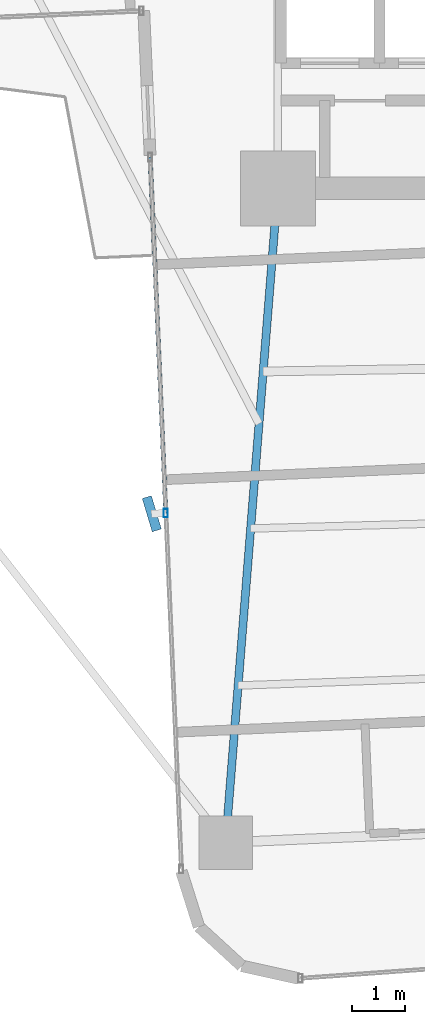
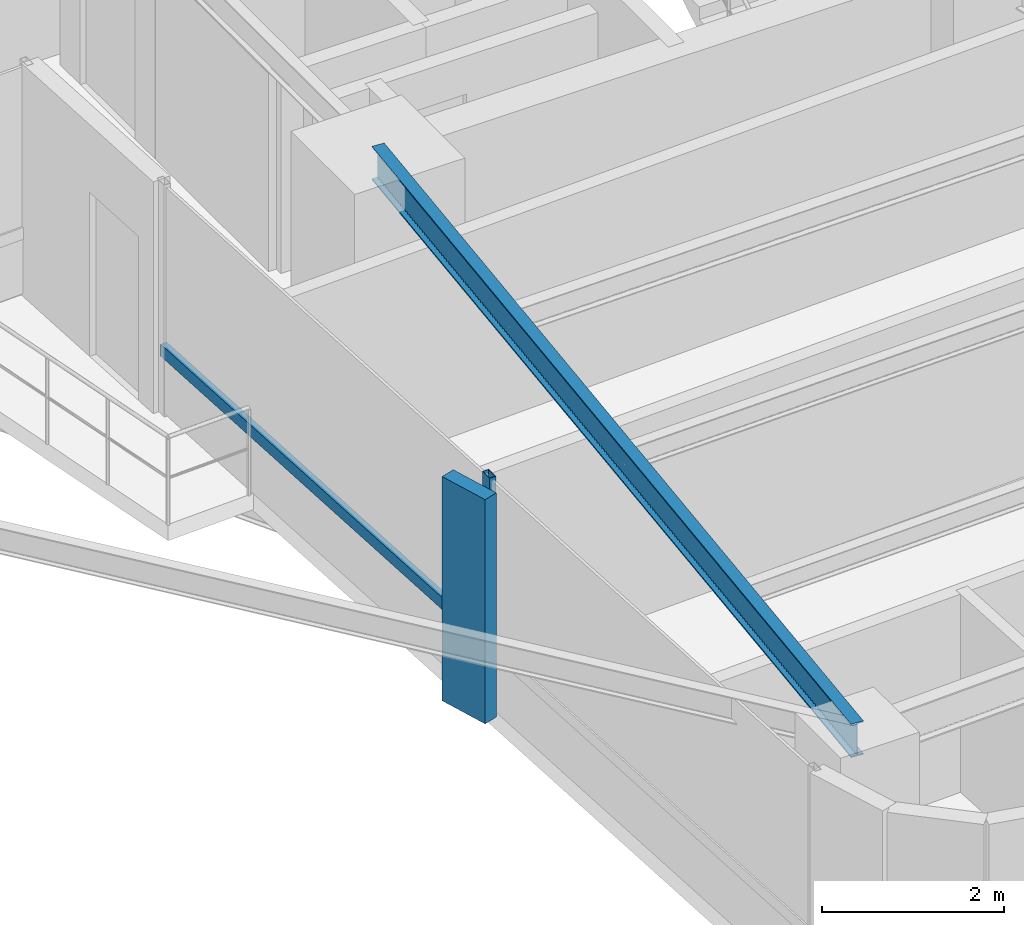
# One storey, part 4 of 26: 3 members, 1 beam, 1 element without a shape of its own.
"""IFC4 building model written with IfcOpenShell, lengths in metres."""

from ifc_helpers import new_model, si_unit, direction, frame, origin, origin_2d, place, context, subcontext, project, spatial, rectangle, hollow_rectangle, i_section, extrude, source, transform, mapped, material, material_profile, profile_set, type_object, element, aggregate, save


model = new_model("IFC4")

# Units and contexts
model_context = context("Model", 3, precision=1e-05, world=origin(), true_north=direction((0.0, 1.0)))
body_context = subcontext(model_context, "Body", "Model", "MODEL_VIEW")
ifc_project = project(units=[si_unit("LENGTHUNIT", "METRE"), si_unit("AREAUNIT", "SQUARE_METRE"), si_unit("VOLUMEUNIT", "CUBIC_METRE"), si_unit("PLANEANGLEUNIT", "RADIAN"), si_unit("MASSUNIT", "GRAM", prefix="KILO")], contexts=[model_context])

# Site, building, storey
site_placement = place(None, origin())
site = spatial("IfcSite", under=ifc_project, at=site_placement, CompositionType="ELEMENT")
building_placement = place(site_placement, origin())
building = spatial("IfcBuilding", under=site, at=building_placement, Name="Sahyath Konkavel Grand Hotel", CompositionType="ELEMENT")
storey_placement = place(building_placement, frame((0.0, 0.0, 114.800048828125)))
storey = spatial("IfcBuildingStorey", under=building, at=storey_placement, Name="L31", CompositionType="ELEMENT", Elevation=114.800048828125)

# Beam
ifc_material_1 = material(Name="Steel E350", Category="steel")
ifc_material_profile_1 = material_profile(ifc_material_1, i_section(OverallWidth=0.14990234375, OverallDepth=0.449951171875, WebThickness=0.009521484375, FlangeThickness=0.017333984375, FilletRadius=0.014892578125, at=origin_2d()), Name="ISMB 450")
ifc_profile_set_1 = profile_set([ifc_material_profile_1], Name="Steel E350")
beam_type = type_object("IfcBeamType", Name="BM-ISMB450", PredefinedType="BEAM", material=ifc_profile_set_1)
shared_shape_1 = source(origin(), body_context, "Body", "SweptSolid", [
    extrude(i_section(OverallWidth=0.14990234375, OverallDepth=0.449951171875, WebThickness=0.009521484375, FlangeThickness=0.017333984375, FilletRadius=0.014892578125, at=origin_2d()), origin(), (0.0, 0.0, 1.0), 12.2685546875),
])
beam_placement = place(storey_placement, frame((-3.800048828125, -10.199951171875, 2.885009765625), z_axis=(-0.079558563357, -0.996830193662, 0.0), x_axis=(0.996830193662, -0.079558563357, 0.0)))
element("IfcBeam", 1, at=beam_placement, inside=storey, type_object=beam_type, Name="L31 Cruciform Radial Girder SA", PredefinedType="BEAM", context=body_context, shape_type="MappedRepresentation", body=[
    mapped(shared_shape_1, transform((0.0, 0.0, 0.0), scale=1.0)),
])

# Curtain wall, members
ifc_material_2 = material(Name="Anodised Bronze Aluminium & Low-E Glazing", Category="aluminium")
curtain_wall_type = type_object("IfcCurtainWallType", Name="CW-ZONE2", PredefinedType="NOTDEFINED", material=ifc_material_2)
curtain_wall_placement = place(storey_placement, origin())
curtain_wall = element("IfcCurtainWall", 2, at=curtain_wall_placement, inside=storey, type_object=curtain_wall_type, Name="L31 Unitised Curtain Wall F24", PredefinedType="NOTDEFINED")
ifc_material_3 = material(Name="Anodised Bronze Aluminium", Category="aluminium")
ifc_material_profile_2 = material_profile(ifc_material_3, hollow_rectangle(XDim=0.080078125, YDim=0.159912109375, WallThickness=0.006103515625, at=origin_2d()), Name="RHS 160x80x6")
ifc_profile_set_2 = profile_set([ifc_material_profile_2], Name="Anodised Bronze Aluminium")
member_type_1 = type_object("IfcMemberType", Name="CW-MUL-160", PredefinedType="MULLION", material=ifc_profile_set_2)
shared_shape_2 = source(origin(), body_context, "Body", "SweptSolid", [
    extrude(hollow_rectangle(XDim=0.080078125, YDim=0.159912109375, WallThickness=0.006103515625, at=origin_2d()), origin(), (0.0, 0.0, 1.0), 3.10986328125),
])
member_1_placement = place(storey_placement, frame((-5.895751953125, -16.272705078125, 0.0), z_axis=(0.0, 0.0, 1.0), x_axis=(1.0, 0.0, 0.0)))
member_1 = element("IfcMember", 3, at=member_1_placement, type_object=member_type_1, Name="L31 Curtain Wall Mullion F24-1", PredefinedType="MULLION", context=body_context, shape_type="MappedRepresentation", body=[
    mapped(shared_shape_2, transform((0.0, 0.0, 0.0), scale=1.0)),
])
ifc_material_4 = material(Name="Warm Buff Sandstone Cladding on Concrete C50/60", Category="masonry")
ifc_material_profile_3 = material_profile(ifc_material_4, rectangle(XDim=0.179931640625, YDim=0.64990234375, at=origin_2d()), Name="FIN 180x650")
ifc_profile_set_3 = profile_set([ifc_material_profile_3], Name="Warm Buff Sandstone Cladding on Concrete C50/60")
member_type_2 = type_object("IfcMemberType", Name="FIN-SANDSTONE-650", PredefinedType="MULLION", material=ifc_profile_set_3)
shared_shape_3 = source(origin(), body_context, "Body", "SweptSolid", [
    extrude(rectangle(XDim=0.179931640625, YDim=0.64990234375, at=origin_2d()), origin(), (0.0, 0.0, 1.0), 3.010009765625),
])
member_2_placement = place(storey_placement, frame((-6.155517578125, -16.283935546875, 0.050048828125), z_axis=(0.0, 0.0, 1.0), x_axis=(0.957621645958, 0.288029136015, 0.0)))
member_2 = element("IfcMember", 4, at=member_2_placement, type_object=member_type_2, Name="L31 Sandstone Vertical Solar Fin FIN F24-1", PredefinedType="MULLION", context=body_context, shape_type="MappedRepresentation", body=[
    mapped(shared_shape_3, transform((0.0, 0.0, 0.0), scale=1.0)),
])
ifc_material_profile_4 = material_profile(ifc_material_3, hollow_rectangle(XDim=0.080078125, YDim=0.159912109375, WallThickness=0.006103515625, at=origin_2d()), Name="RHS 160x80x6")
ifc_profile_set_4 = profile_set([ifc_material_profile_4], Name="Anodised Bronze Aluminium")
member_type_3 = type_object("IfcMemberType", Name="CW-TRN-160", PredefinedType="USERDEFINED", material=ifc_profile_set_4)
shared_shape_4 = source(origin(), body_context, "Body", "SweptSolid", [
    extrude(hollow_rectangle(XDim=0.080078125, YDim=0.159912109375, WallThickness=0.006103515625, at=origin_2d()), origin(), (0.0, 0.0, 1.0), 6.66015625),
])
member_3_placement = place(storey_placement, frame((-6.186279296875, -9.618896484375, 0.849853515625), z_axis=(0.043621753165, -0.999048118286, 0.0), x_axis=(0.999048118286, 0.043621753165, 0.0)))
member_3 = element("IfcMember", 5, at=member_3_placement, type_object=member_type_3, Name="L31 Curtain Wall Transom F24-0-spandrel", ObjectType="TRANSOM", PredefinedType="USERDEFINED", context=body_context, shape_type="MappedRepresentation", body=[
    mapped(shared_shape_4, transform((0.0, 0.0, 0.0), scale=1.0)),
])
aggregate(curtain_wall, [member_1, member_2, member_3])

save(model, "model.ifc")
